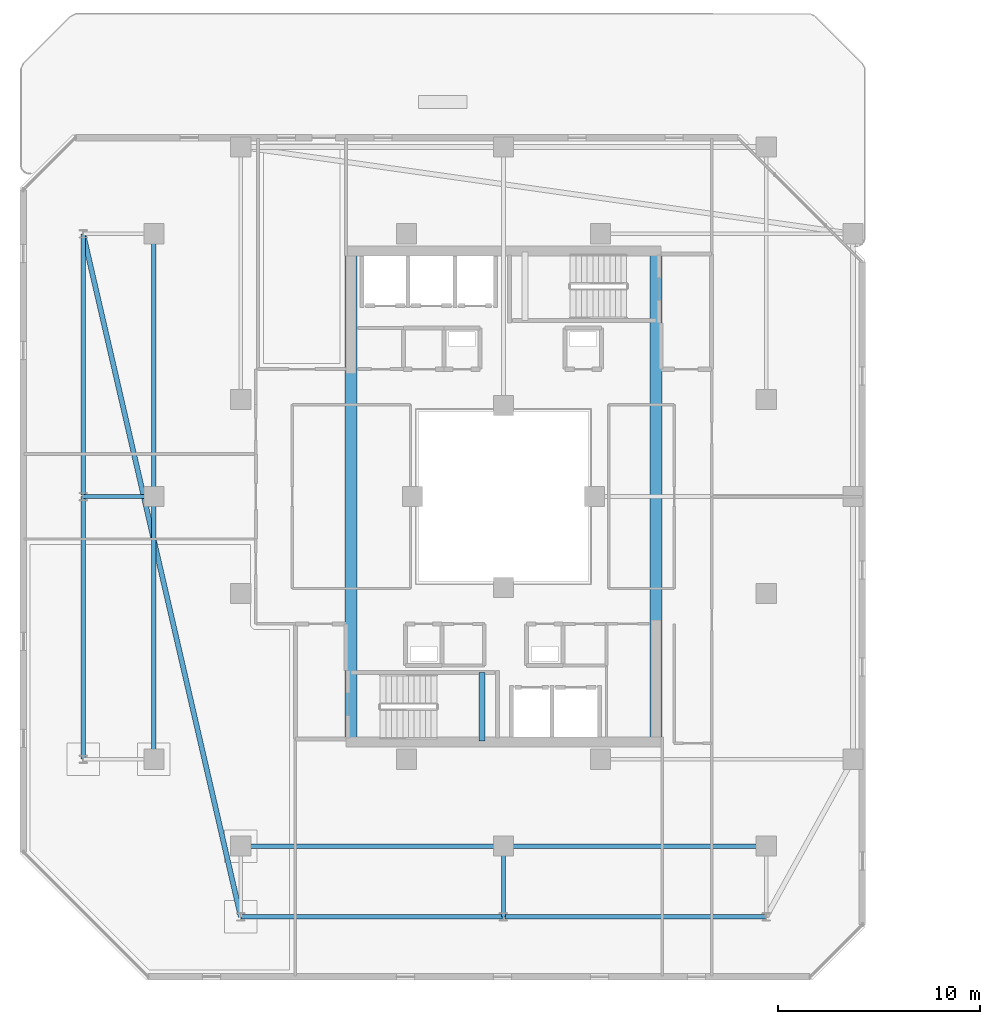
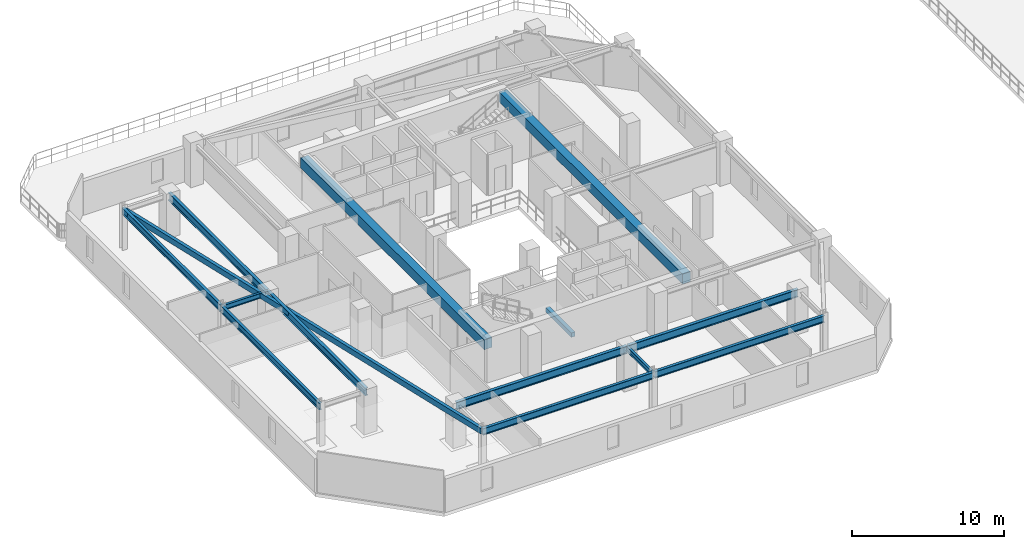
# One storey, part 4 of 29: 14 beams.
"""IFC4 building model written with IfcOpenShell, lengths in metres."""

from ifc_helpers import new_model, si_unit, direction, frame, origin, origin_2d, place, context, subcontext, project, spatial, rectangle, hollow_rectangle, i_section, extrude, material, material_profile, profile_set, type_object, element, save


model = new_model("IFC4")

# Units and contexts
model_context = context("Model", 3, precision=1e-05, world=origin(), true_north=direction((0.0, 1.0)))
body_context = subcontext(model_context, "Body", "Model", "MODEL_VIEW")
ifc_project = project(units=[si_unit("LENGTHUNIT", "METRE"), si_unit("AREAUNIT", "SQUARE_METRE"), si_unit("VOLUMEUNIT", "CUBIC_METRE"), si_unit("PLANEANGLEUNIT", "RADIAN"), si_unit("MASSUNIT", "GRAM", prefix="KILO")], contexts=[model_context])

# Site, building, storey
site_placement = place(None, origin())
site = spatial("IfcSite", under=ifc_project, at=site_placement, CompositionType="ELEMENT")
building_placement = place(site_placement, origin())
building = spatial("IfcBuilding", under=site, at=building_placement, Name="Thornwick Lancets Civic Towers", CompositionType="ELEMENT")
storey_placement = place(building_placement, frame((0.0, 0.0, 229.5)))
storey = spatial("IfcBuildingStorey", under=building, at=storey_placement, Name="L61", CompositionType="ELEMENT", Elevation=229.5)

# Beams
ifc_material_1 = material(Name="Concrete C60/75", Category="concrete")
ifc_material_profile_1 = material_profile(ifc_material_1, rectangle(XDim=0.60009765625, YDim=0.800048828125, at=origin_2d()), Name="RC 600x800")
ifc_profile_set_1 = profile_set([ifc_material_profile_1], Name="Concrete C60/75")
beam_type_1 = type_object("IfcBeamType", Name="BM_COUP_RC800", PredefinedType="BEAM", material=ifc_profile_set_1)
for number, where, z_axis, x_axis, name in (
    (1, (33.050048828125, 14.89990234375, 2.919921875), (0.0, 1.0, 0.0), (-1.0, 0.0, 0.0), "CB-L61-A1"),
    (2, (17.949951171875, 14.89990234375, 2.919921875), (0.0, 1.0, 0.0), (-1.0, 0.0, 0.0), "CB-L61-A2"),
):
    element("IfcBeam", number, at=place(storey_placement, frame(where, z_axis=z_axis, x_axis=x_axis)), inside=storey, type_object=beam_type_1, Name=name, PredefinedType="BEAM", context=body_context, shape_type="SweptSolid", body=[
        extrude(rectangle(XDim=0.60009765625, YDim=0.800048828125, at=origin_2d()), origin(), (0.0, 0.0, 1.0), 24.2001953125),
    ])
ifc_material_2 = material(Name="Steel S355JR", Category="steel")
ifc_material_profile_2 = material_profile(ifc_material_2, i_section(OverallWidth=0.210693359375, OverallDepth=0.53955078125, WebThickness=0.01171875, FlangeThickness=0.018798828125, FilletRadius=0.0126953125, at=origin_2d()), Name="UKB 533x210x109")
ifc_profile_set_2 = profile_set([ifc_material_profile_2], Name="Steel S355JR")
beam_type_2 = type_object("IfcBeamType", Name="BM_EDGE_533_109", PredefinedType="SPANDREL", material=ifc_profile_set_2)
beam_1_placement = place(storey_placement, frame((12.5, 6.199951171875, 3.05029296875), z_axis=(1.0, 0.0, 0.0), x_axis=(0.0, 1.0, 0.0)))
element("IfcBeam", 3, at=beam_1_placement, inside=storey, type_object=beam_type_2, Name="BM-EDGE-L61-A-S0-1", PredefinedType="SPANDREL", context=body_context, shape_type="SweptSolid", body=[
    extrude(i_section(OverallWidth=0.210693359375, OverallDepth=0.53955078125, WebThickness=0.01171875, FlangeThickness=0.018798828125, FilletRadius=0.0126953125, at=origin_2d()), origin(), (0.0, 0.0, 1.0), 13.0),
])
beam_2_placement = place(storey_placement, frame((25.580078125, 6.199951171875, 3.05029296875), z_axis=(1.0, 0.0, 0.0), x_axis=(0.0, 1.0, 0.0)))
element("IfcBeam", 4, at=beam_2_placement, inside=storey, type_object=beam_type_2, Name="BM-EDGE-L61-A-S0-2", PredefinedType="SPANDREL", context=body_context, shape_type="SweptSolid", body=[
    extrude(i_section(OverallWidth=0.210693359375, OverallDepth=0.53955078125, WebThickness=0.01171875, FlangeThickness=0.018798828125, FilletRadius=0.0126953125, at=origin_2d()), origin(), (0.0, 0.0, 1.0), 12.919921875),
])
beam_3_placement = place(storey_placement, frame((4.699951171875, 14.0, 3.05029296875), z_axis=(0.0, 1.0, 0.0), x_axis=(-1.0, 0.0, 0.0)))
element("IfcBeam", 5, at=beam_3_placement, inside=storey, type_object=beam_type_2, Name="BM-EDGE-L61-A-S3-1", PredefinedType="SPANDREL", context=body_context, shape_type="SweptSolid", body=[
    extrude(i_section(OverallWidth=0.210693359375, OverallDepth=0.53955078125, WebThickness=0.01171875, FlangeThickness=0.018798828125, FilletRadius=0.0126953125, at=origin_2d()), origin(), (0.0, 0.0, 1.0), 13.0),
])
beam_4_placement = place(storey_placement, frame((4.699951171875, 27.080078125, 3.05029296875), z_axis=(0.0, 1.0, 0.0), x_axis=(-1.0, 0.0, 0.0)))
element("IfcBeam", 6, at=beam_4_placement, inside=storey, type_object=beam_type_2, Name="BM-EDGE-L61-A-S3-2", PredefinedType="SPANDREL", context=body_context, shape_type="SweptSolid", body=[
    extrude(i_section(OverallWidth=0.210693359375, OverallDepth=0.53955078125, WebThickness=0.01171875, FlangeThickness=0.018798828125, FilletRadius=0.0126953125, at=origin_2d()), origin(), (0.0, 0.0, 1.0), 12.919921875),
])
ifc_material_profile_3 = material_profile(ifc_material_2, i_section(OverallWidth=0.230224609375, OverallDepth=0.6171875, WebThickness=0.01318359375, FlangeThickness=0.022216796875, FilletRadius=0.0126953125, at=origin_2d()), Name="UKB 610x229x140")
ifc_profile_set_3 = profile_set([ifc_material_profile_3], Name="Steel S355JR")
beam_type_3 = type_object("IfcBeamType", Name="BM_GIRD_610_140", PredefinedType="BEAM", material=ifc_profile_set_3)
beam_5_placement = place(storey_placement, frame((12.5, 9.699951171875, 3.011474609375), z_axis=(1.0, 0.0, 0.0), x_axis=(0.0, 1.0, 0.0)))
element("IfcBeam", 7, at=beam_5_placement, inside=storey, type_object=beam_type_3, Name="BM-SPINE-L61-A-0-1", PredefinedType="BEAM", context=body_context, shape_type="SweptSolid", body=[
    extrude(i_section(OverallWidth=0.230224609375, OverallDepth=0.6171875, WebThickness=0.01318359375, FlangeThickness=0.022216796875, FilletRadius=0.0126953125, at=origin_2d()), origin(), (0.0, 0.0, 1.0), 13.0),
])
beam_6_placement = place(storey_placement, frame((25.580078125, 9.699951171875, 3.011474609375), z_axis=(1.0, 0.0, 0.0), x_axis=(0.0, 1.0, 0.0)))
element("IfcBeam", 8, at=beam_6_placement, inside=storey, type_object=beam_type_3, Name="BM-SPINE-L61-A-1-2", PredefinedType="BEAM", context=body_context, shape_type="SweptSolid", body=[
    extrude(i_section(OverallWidth=0.230224609375, OverallDepth=0.6171875, WebThickness=0.01318359375, FlangeThickness=0.022216796875, FilletRadius=0.0126953125, at=origin_2d()), origin(), (0.0, 0.0, 1.0), 12.919921875),
])
beam_7_placement = place(storey_placement, frame((8.199951171875, 14.0, 3.011474609375), z_axis=(0.0, 1.0, 0.0), x_axis=(-1.0, 0.0, 0.0)))
element("IfcBeam", 9, at=beam_7_placement, inside=storey, type_object=beam_type_3, Name="BM-SPINE-L61-A-9-10", PredefinedType="BEAM", context=body_context, shape_type="SweptSolid", body=[
    extrude(i_section(OverallWidth=0.230224609375, OverallDepth=0.6171875, WebThickness=0.01318359375, FlangeThickness=0.022216796875, FilletRadius=0.0126953125, at=origin_2d()), origin(), (0.0, 0.0, 1.0), 13.0),
])
beam_8_placement = place(storey_placement, frame((8.199951171875, 27.080078125, 3.011474609375), z_axis=(0.0, 1.0, 0.0), x_axis=(-1.0, 0.0, 0.0)))
element("IfcBeam", 10, at=beam_8_placement, inside=storey, type_object=beam_type_3, Name="BM-SPINE-L61-A-10-11", PredefinedType="BEAM", context=body_context, shape_type="SweptSolid", body=[
    extrude(i_section(OverallWidth=0.230224609375, OverallDepth=0.6171875, WebThickness=0.01318359375, FlangeThickness=0.022216796875, FilletRadius=0.0126953125, at=origin_2d()), origin(), (0.0, 0.0, 1.0), 12.919921875),
])
ifc_material_profile_4 = material_profile(ifc_material_2, i_section(OverallWidth=0.179443359375, OverallDepth=0.412841796875, WebThickness=0.009521484375, FlangeThickness=0.01611328125, FilletRadius=0.01025390625, at=origin_2d()), Name="UKB 406x178x74")
ifc_profile_set_4 = profile_set([ifc_material_profile_4], Name="Steel S355JR")
beam_type_4 = type_object("IfcBeamType", Name="BM_JOIST_406_74", PredefinedType="JOIST", material=ifc_profile_set_4)
for number, where, z_axis, x_axis, name in (
    (11, (25.5, 9.699951171875, 3.113525390625), (0.0, -1.0, 0.0), (1.0, 0.0, 0.0), "BM-RAD-L61-A02"),
    (12, (8.199951171875, 27.0, 3.113525390625), (-1.0, 0.0, 0.0), (0.0, -1.0, 0.0), "BM-RAD-L61-A11"),
):
    element("IfcBeam", number, at=place(storey_placement, frame(where, z_axis=z_axis, x_axis=x_axis)), inside=storey, type_object=beam_type_4, Name=name, PredefinedType="JOIST", context=body_context, shape_type="SweptSolid", body=[
        extrude(i_section(OverallWidth=0.179443359375, OverallDepth=0.412841796875, WebThickness=0.009521484375, FlangeThickness=0.01611328125, FilletRadius=0.01025390625, at=origin_2d()), origin(), (0.0, 0.0, 1.0), 3.5),
    ])
ifc_material_profile_5 = material_profile(ifc_material_2, hollow_rectangle(XDim=0.25, YDim=0.449951171875, WallThickness=0.01611328125, at=origin_2d()), Name="RHS 450x250x16")
ifc_profile_set_5 = profile_set([ifc_material_profile_5], Name="Steel S355JR")
beam_type_5 = type_object("IfcBeamType", Name="BM_RING_RHS450", PredefinedType="BEAM", material=ifc_profile_set_5)
beam_9_placement = place(storey_placement, frame((4.699951171875, 40.0, 3.094970703125), z_axis=(0.224860534737, -0.974390958454, 0.0), x_axis=(0.974390958454, 0.224860534737, 0.0)))
element("IfcBeam", 13, at=beam_9_placement, inside=storey, type_object=beam_type_5, Name="BM-CHAMF-L61-A-C3", PredefinedType="BEAM", context=body_context, shape_type="SweptSolid", body=[
    extrude(hollow_rectangle(XDim=0.25, YDim=0.449951171875, WallThickness=0.01611328125, at=origin_2d()), origin(), (0.0, 0.0, 1.0), 34.6884765625),
])
ifc_material_3 = material(Name="Concrete C40/50", Category="concrete")
ifc_material_profile_6 = material_profile(ifc_material_3, rectangle(XDim=0.300048828125, YDim=0.35009765625, at=origin_2d()), Name="RC 300x350")
ifc_profile_set_6 = profile_set([ifc_material_profile_6], Name="Concrete C40/50")
beam_type_6 = type_object("IfcBeamType", Name="BM_STAIR_LDG", PredefinedType="BEAM", material=ifc_profile_set_6)
beam_10_placement = place(storey_placement, frame((24.43505859375, 14.89990234375, 1.3779296875), z_axis=(0.0, 1.0, 0.0), x_axis=(-1.0, 0.0, 0.0)))
element("IfcBeam", 14, at=beam_10_placement, inside=storey, type_object=beam_type_6, Name="L61 ST-A1 Landing Support Beam 1", PredefinedType="BEAM", context=body_context, shape_type="SweptSolid", body=[
    extrude(rectangle(XDim=0.300048828125, YDim=0.35009765625, at=origin_2d()), origin(), (0.0, 0.0, 1.0), 3.400146484375),
])

save(model, "model.ifc")
